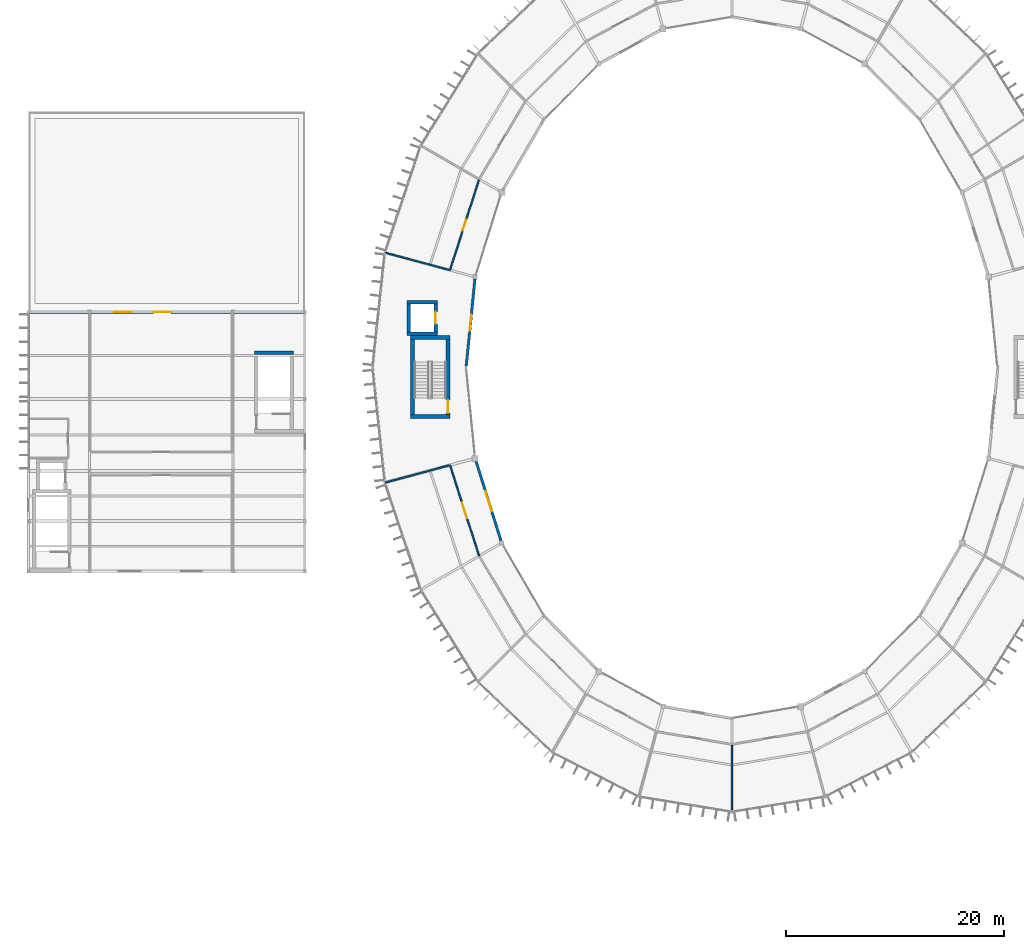
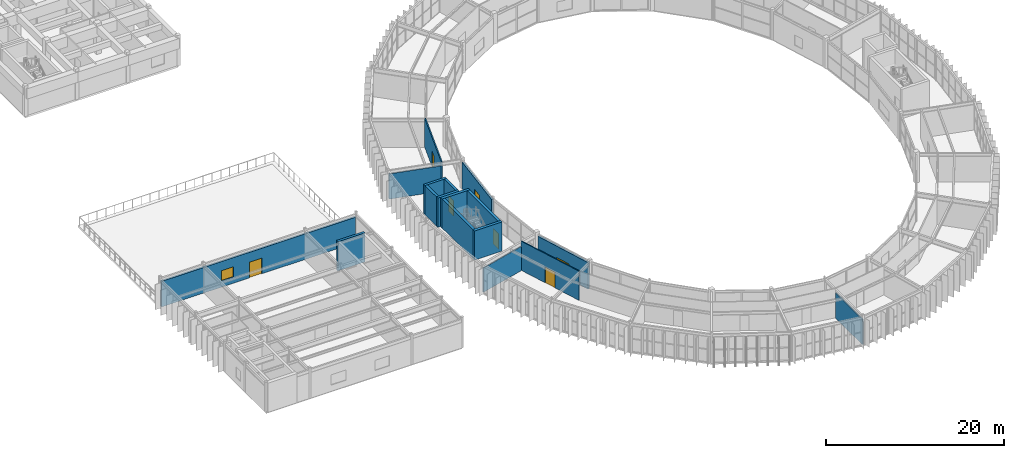
# One storey, part 111 of 130: 17 walls, 5 doors, 3 windows, 8 openings.
"""IFC4 building model written with IfcOpenShell, lengths in metres."""

from ifc_helpers import new_model, si_unit, direction, frame, frame_2d, origin, place, context, subcontext, project, spatial, rectangle, extrude, material, layer, layer_set, type_object, element, fill, save


model = new_model("IFC4")

# Units and contexts
model_context = context("Model", 3, precision=1e-05, world=origin(), true_north=direction((0.0, 1.0)))
body_context = subcontext(model_context, "Body", "Model", "MODEL_VIEW")
ifc_project = project(units=[si_unit("LENGTHUNIT", "METRE"), si_unit("AREAUNIT", "SQUARE_METRE"), si_unit("VOLUMEUNIT", "CUBIC_METRE"), si_unit("PLANEANGLEUNIT", "RADIAN"), si_unit("MASSUNIT", "GRAM", prefix="KILO")], contexts=[model_context])

# Site, building, storey
site_placement = place(None, origin())
site = spatial("IfcSite", under=ifc_project, at=site_placement, CompositionType="ELEMENT")
building_placement = place(site_placement, origin())
building = spatial("IfcBuilding", under=site, at=building_placement, Name="Karori Crest Natural Sciences Institute", CompositionType="ELEMENT")
storey_placement = place(building_placement, frame((0.0, 0.0, 17.5)))
storey = spatial("IfcBuildingStorey", under=building, at=storey_placement, Name="L04", CompositionType="ELEMENT", Elevation=17.5)

# Walls
ifc_material_1 = material(Name="Concrete 50 MPa", Category="concrete")
ifc_layer_1 = layer(ifc_material_1, 0.35009765625, Name="Concrete 50 MPa")
ifc_layer_set_1 = layer_set([ifc_layer_1], Name="Concrete 50 MPa")
wall_type_1 = type_object("IfcWallType", Name="IWT-02", PredefinedType="SHEAR", material=ifc_layer_set_1)
for number, where, z_axis, x_axis, name in (
    (1, (36.89990234375, 45.425048828125, 0.0), (0.0, 0.0, 1.0), (1.0, 0.0, 0.0), "Shear wall IW-0057"),
    (2, (36.89990234375, 52.675048828125, 0.0), (0.0, 0.0, 1.0), (1.0, 0.0, 0.0), "Shear wall IW-0058"),
):
    element("IfcWall", number, at=place(storey_placement, frame(where, z_axis=z_axis, x_axis=x_axis)), inside=storey, type_object=wall_type_1, Name=name, PredefinedType="SHEAR", context=body_context, shape_type="SweptSolid", body=[
        extrude(rectangle(XDim=3.60009765625, YDim=0.35009765625, at=frame_2d((1.800048828125, 0.0))), origin(), (0.0, 0.0, 1.0), 4.0),
    ])
wall_1_placement = place(storey_placement, frame((37.074951171875, 45.60205078125, 0.0), z_axis=(0.0, 0.0, 1.0), x_axis=(0.0, 1.0, 0.0)))
element("IfcWall", 3, at=wall_1_placement, inside=storey, type_object=wall_type_1, Name="Shear wall IW-0059", PredefinedType="SHEAR", context=body_context, shape_type="SweptSolid", body=[
    extrude(rectangle(XDim=6.89599609375, YDim=0.35009765625, at=frame_2d((3.447998046875, 0.0))), origin(), (0.0, 0.0, 1.0), 4.0),
])

# Wall, opening, door
wall_2_placement = place(storey_placement, frame((40.324951171875, 45.60205078125, 0.0), z_axis=(0.0, 0.0, 1.0), x_axis=(0.0, 1.0, 0.0)))
wall_2 = element("IfcWall", 4, at=wall_2_placement, inside=storey, type_object=wall_type_1, Name="Shear wall IW-0060", PredefinedType="SHEAR", context=body_context, shape_type="SweptSolid", body=[
    extrude(rectangle(XDim=6.89599609375, YDim=0.35009765625, at=frame_2d((3.447998046875, 0.0))), origin(), (0.0, 0.0, 1.0), 4.0),
])
opening_1_placement = place(wall_2_placement, frame((0.1201171875, 0.0, 0.0)))
opening_1 = element("IfcOpeningElement", 5, at=opening_1_placement, cuts=wall_2, Name="Opening ID-0015", PredefinedType="OPENING", context=body_context, shape_type="SweptSolid", body=[
    extrude(rectangle(XDim=1.199951171875, YDim=2.14990234375, at=frame_2d((0.60009765625, 1.074951171875))), frame((0.0, 0.18505859375, 0.0), z_axis=(0.0, -1.0, 0.0), x_axis=(1.0, 0.0, 0.0)), (0.0, 0.0, 1.0), 0.3701171875),
])
ifc_material_2 = material(Name="Stainless steel 316 and fire-rated timber", Category="steel")
door_type_1 = type_object("IfcDoorType", Name="IDT-01", OperationType="NOTDEFINED", PredefinedType="DOOR", material=ifc_material_2)
door_1_placement = place(opening_1_placement, origin())
door_1 = element("IfcDoor", 6, at=door_1_placement, inside=storey, type_object=door_type_1, Name="Stair ST-02 fire door ID-0015", OperationType="SINGLE_SWING_LEFT", OverallHeight=2.14990234375, OverallWidth=1.199951171875, PredefinedType="DOOR", context=body_context, shape_type="SweptSolid", body=[
    extrude(rectangle(XDim=1.199951171875, YDim=2.14990234375, at=frame_2d((0.60009765625, 1.074951171875))), frame((0.0, 0.02490234375, 0.0), z_axis=(0.0, -1.0, 0.0), x_axis=(1.0, 0.0, 0.0)), (0.0, 0.0, 1.0), 0.050048828125),
])
fill(opening_1, door_1)

# Walls
ifc_layer_2 = layer(ifc_material_1, 0.320068359375, Name="Concrete 50 MPa")
ifc_layer_set_2 = layer_set([ifc_layer_2], Name="Concrete 50 MPa")
wall_type_2 = type_object("IfcWallType", Name="IWT-03", PredefinedType="SHEAR", material=ifc_layer_set_2)
wall_3_placement = place(storey_placement, frame((22.580078125, 51.260009765625, 0.0), z_axis=(0.0, 0.0, 1.0), x_axis=(1.0, 0.0, 0.0)))
element("IfcWall", 7, at=wall_3_placement, inside=storey, type_object=wall_type_2, Name="Shear wall IW-0270", PredefinedType="SHEAR", context=body_context, shape_type="SweptSolid", body=[
    extrude(rectangle(XDim=3.5400390625, YDim=0.320068359375, at=frame_2d((1.77001953125, 0.0))), origin(), (0.0, 0.0, 1.0), 4.0),
])
for number, where, z_axis, x_axis, name in (
    (8, (36.544921875, 53.030029296875, 0.0), (0.0, 0.0, 1.0), (1.0, 0.0, 0.0), "Shear wall IW-0457"),
    (9, (36.544921875, 55.89501953125, 0.0), (0.0, 0.0, 1.0), (1.0, 0.0, 0.0), "Shear wall IW-0458"),
):
    element("IfcWall", number, at=place(storey_placement, frame(where, z_axis=z_axis, x_axis=x_axis)), inside=storey, type_object=wall_type_2, Name=name, PredefinedType="SHEAR", context=body_context, shape_type="SweptSolid", body=[
        extrude(rectangle(XDim=2.81005859375, YDim=0.320068359375, at=frame_2d((1.405029296875, 0.0))), origin(), (0.0, 0.0, 1.0), 4.0),
    ])
wall_4_placement = place(storey_placement, frame((36.705078125, 53.19189453125, 0.0), z_axis=(0.0, 0.0, 1.0), x_axis=(0.0, 1.0, 0.0)))
element("IfcWall", 10, at=wall_4_placement, inside=storey, type_object=wall_type_2, Name="Shear wall IW-0459", PredefinedType="SHEAR", context=body_context, shape_type="SweptSolid", body=[
    extrude(rectangle(XDim=2.541015625, YDim=0.320068359375, at=frame_2d((1.2705078125, 0.0))), origin(), (0.0, 0.0, 1.0), 4.0),
])

# Wall, opening, door
wall_5_placement = place(storey_placement, frame((39.195068359375, 53.19189453125, 0.0), z_axis=(0.0, 0.0, 1.0), x_axis=(0.0, 1.0, 0.0)))
wall_5 = element("IfcWall", 11, at=wall_5_placement, inside=storey, type_object=wall_type_2, Name="Shear wall IW-0460", PredefinedType="SHEAR", context=body_context, shape_type="SweptSolid", body=[
    extrude(rectangle(XDim=2.541015625, YDim=0.320068359375, at=frame_2d((1.2705078125, 0.0))), origin(), (0.0, 0.0, 1.0), 4.0),
])
opening_2_placement = place(wall_5_placement, frame((0.720458984375, 0.0, 0.0)))
opening_2 = element("IfcOpeningElement", 12, at=opening_2_placement, cuts=wall_5, Name="Opening LD-0039", PredefinedType="OPENING", context=body_context, shape_type="SweptSolid", body=[
    extrude(rectangle(XDim=1.10009765625, YDim=2.14990234375, at=frame_2d((0.550048828125, 1.074951171875))), frame((0.0, 0.169921875, 0.0), z_axis=(0.0, -1.0, 0.0), x_axis=(1.0, 0.0, 0.0)), (0.0, 0.0, 1.0), 0.340087890625),
])
door_type_2 = type_object("IfcDoorType", Name="LDT-01", OperationType="SLIDING_TO_LEFT", PredefinedType="DOOR", material=ifc_material_2)
door_2_placement = place(opening_2_placement, origin())
door_2 = element("IfcDoor", 13, at=door_2_placement, inside=storey, type_object=door_type_2, Name="Lift LP-02 landing door LD-0039", OperationType="SLIDING_TO_LEFT", OverallHeight=2.14990234375, OverallWidth=1.10009765625, PredefinedType="DOOR", context=body_context, shape_type="SweptSolid", body=[
    extrude(rectangle(XDim=1.10009765625, YDim=2.14990234375, at=frame_2d((0.550048828125, 1.074951171875))), frame((0.0, 0.02490234375, 0.0), z_axis=(0.0, -1.0, 0.0), x_axis=(1.0, 0.0, 0.0)), (0.0, 0.0, 1.0), 0.050048828125),
])
fill(opening_2, door_2)

ifc_material_3 = material(Name="Laboratory acoustic drywall partition")
ifc_layer_3 = layer(ifc_material_3, 0.139892578125, Name="Laboratory acoustic drywall partition")
ifc_layer_set_3 = layer_set([ifc_layer_3], Name="Laboratory acoustic drywall partition")
wall_type_3 = type_object("IfcWallType", Name="IWT-07", PredefinedType="PARTITIONING", material=ifc_layer_set_3)
wall_6_placement = place(storey_placement, frame((43.16796875, 67.1298828125, 0.0), z_axis=(0.0, 0.0, 1.0), x_axis=(-0.305487150125, -0.952196198852, 0.0)))
wall_6 = element("IfcWall", 14, at=wall_6_placement, inside=storey, type_object=wall_type_3, Name="Partition wall IW-1346", PredefinedType="PARTITIONING", context=body_context, shape_type="SweptSolid", body=[
    extrude(rectangle(XDim=8.6904296875, YDim=0.139892578125, at=frame_2d((4.34521484375, 0.0))), origin(), (0.0, 0.0, 1.0), 4.0),
])
opening_3_placement = place(wall_6_placement, frame((3.820068359375, 0.0, 0.0)))
opening_3 = element("IfcOpeningElement", 15, at=opening_3_placement, cuts=wall_6, Name="Opening ID-0423", PredefinedType="OPENING", context=body_context, shape_type="SweptSolid", body=[
    extrude(rectangle(XDim=1.050048828125, YDim=2.14990234375, at=frame_2d((0.52490234375, 1.074951171875))), frame((0.0, 0.080078125, 0.0), z_axis=(0.0, -1.0, 0.0), x_axis=(1.0, 0.0, 0.0)), (0.0, 0.0, 1.0), 0.159912109375),
])
door_type_3 = type_object("IfcDoorType", Name="IDT-03", OperationType="NOTDEFINED", PredefinedType="DOOR", material=ifc_material_2)
door_3_placement = place(opening_3_placement, origin())
door_3 = element("IfcDoor", 16, at=door_3_placement, inside=storey, type_object=door_type_3, Name="Molecular Ecology Wet Laboratory door ID-0423", OperationType="SINGLE_SWING_LEFT", OverallHeight=2.14990234375, OverallWidth=1.050048828125, PredefinedType="DOOR", context=body_context, shape_type="SweptSolid", body=[
    extrude(rectangle(XDim=1.050048828125, YDim=2.14990234375, at=frame_2d((0.52490234375, 1.074951171875))), frame((0.0, 0.02490234375, 0.0), z_axis=(0.0, -1.0, 0.0), x_axis=(1.0, 0.0, 0.0)), (0.0, 0.0, 1.0), 0.050048828125),
])
fill(opening_3, door_3)

# Wall
wall_7_placement = place(storey_placement, frame((40.435791015625, 58.875732421875, 0.0), z_axis=(0.0, 0.0, 1.0), x_axis=(-0.965916578341, 0.258853556448, 0.0)))
element("IfcWall", 17, at=wall_7_placement, inside=storey, type_object=wall_type_3, Name="Partition wall IW-1347", PredefinedType="PARTITIONING", context=body_context, shape_type="SweptSolid", body=[
    extrude(rectangle(XDim=6.059814453125, YDim=0.139892578125, at=frame_2d((3.02978515625, 0.0))), origin(), (0.0, 0.0, 1.0), 3.465087890625),
])

# Wall, opening, door
wall_8_placement = place(storey_placement, frame((40.51318359375, 40.94482421875, 0.0), z_axis=(0.0, 0.0, 1.0), x_axis=(0.305493323507, -0.952194218263, 0.0)))
wall_8 = element("IfcWall", 18, at=wall_8_placement, inside=storey, type_object=wall_type_3, Name="Partition wall IW-1348", PredefinedType="PARTITIONING", context=body_context, shape_type="SweptSolid", body=[
    extrude(rectangle(XDim=8.763671875, YDim=0.139892578125, at=frame_2d((4.3818359375, 0.0))), origin(), (0.0, 0.0, 1.0), 4.0),
])
opening_4_placement = place(wall_8_placement, frame((3.6318359375, 0.0, 0.0)))
opening_4 = element("IfcOpeningElement", 19, at=opening_4_placement, cuts=wall_8, Name="Opening ID-0424", PredefinedType="OPENING", context=body_context, shape_type="SweptSolid", body=[
    extrude(rectangle(XDim=1.5, YDim=2.14990234375, at=frame_2d((0.75, 1.074951171875))), frame((0.0, 0.080078125, 0.0), z_axis=(0.0, -1.0, 0.0), x_axis=(1.0, 0.0, 0.0)), (0.0, 0.0, 1.0), 0.159912109375),
])
door_type_4 = type_object("IfcDoorType", Name="IDT-05", OperationType="DOUBLE_DOOR_SINGLE_SWING", PredefinedType="DOOR", material=ifc_material_2)
door_4_placement = place(opening_4_placement, origin())
door_4 = element("IfcDoor", 20, at=door_4_placement, inside=storey, type_object=door_type_4, Name="Atmospheric Physics Laboratory door ID-0424", OperationType="DOUBLE_DOOR_SINGLE_SWING", OverallHeight=2.14990234375, OverallWidth=1.5, PredefinedType="DOOR", context=body_context, shape_type="SweptSolid", body=[
    extrude(rectangle(XDim=1.5, YDim=2.14990234375, at=frame_2d((0.75, 1.074951171875))), frame((0.0, 0.02490234375, 0.0), z_axis=(0.0, -1.0, 0.0), x_axis=(1.0, 0.0, 0.0)), (0.0, 0.0, 1.0), 0.050048828125),
])
fill(opening_4, door_4)

# Walls
wall_9_placement = place(storey_placement, frame((40.435791015625, 40.92431640625, 0.0), z_axis=(0.0, 0.0, 1.0), x_axis=(-0.965916578341, -0.258853556448, 0.0)))
element("IfcWall", 21, at=wall_9_placement, inside=storey, type_object=wall_type_3, Name="Partition wall IW-1350", PredefinedType="PARTITIONING", context=body_context, shape_type="SweptSolid", body=[
    extrude(rectangle(XDim=6.059814453125, YDim=0.139892578125, at=frame_2d((3.02978515625, 0.0))), origin(), (0.0, 0.0, 1.0), 3.322998046875),
])
wall_10_placement = place(storey_placement, frame((66.39990234375, 15.219970703125, 0.0), z_axis=(0.0, 0.0, 1.0), x_axis=(0.0, -1.0, 0.0)))
element("IfcWall", 22, at=wall_10_placement, inside=storey, type_object=wall_type_3, Name="Partition wall IW-1357", PredefinedType="PARTITIONING", context=body_context, shape_type="SweptSolid", body=[
    extrude(rectangle(XDim=6.06005859375, YDim=0.139892578125, at=frame_2d((3.030029296875, 0.0))), origin(), (0.0, 0.0, 1.0), 3.470947265625),
])

# Wall, opening, window
ifc_material_4 = material(Name="Precast concrete 40 MPa", Category="concrete")
ifc_layer_4 = layer(ifc_material_4, 0.239990234375, Name="Precast concrete 40 MPa")
ifc_layer_set_4 = layer_set([ifc_layer_4], Name="Precast concrete 40 MPa")
wall_type_4 = type_object("IfcWallType", Name="WT-04", PredefinedType="SOLIDWALL", material=ifc_layer_set_4)
wall_11_placement = place(storey_placement, frame((42.8115234375, 58.035888671875, 0.0), z_axis=(0.0, 0.0, 1.0), x_axis=(-0.099255190182, -0.995062011747, 0.0)))
wall_11 = element("IfcWall", 23, at=wall_11_placement, inside=storey, type_object=wall_type_4, Name="Exterior wall EW-0081", PredefinedType="SOLIDWALL", context=body_context, shape_type="SweptSolid", body=[
    extrude(rectangle(XDim=8.07275390625, YDim=0.239990234375, at=frame_2d((4.036376953125, 0.0))), origin(), (0.0, 0.0, 1.0), 3.64990234375),
])
opening_5_placement = place(wall_11_placement, frame((3.311279296875, 0.0, 0.85009765625)))
opening_5 = element("IfcOpeningElement", 24, at=opening_5_placement, cuts=wall_11, Name="Opening WN-0033", PredefinedType="OPENING", context=body_context, shape_type="SweptSolid", body=[
    extrude(rectangle(XDim=1.449951171875, YDim=1.25, at=frame_2d((0.72509765625, 0.625))), frame((0.0, 0.1298828125, 0.0), z_axis=(0.0, -1.0, 0.0), x_axis=(1.0, 0.0, 0.0)), (0.0, 0.0, 1.0), 0.260009765625),
])
ifc_material_5 = material(Name="Double low-E laminated glass", Category="glass")
window_type_1 = type_object("IfcWindowType", Name="WNT-12", PartitioningType="SINGLE_PANEL", PredefinedType="WINDOW", material=ifc_material_5)
window_1_placement = place(opening_5_placement, origin())
window_1 = element("IfcWindow", 25, at=window_1_placement, inside=storey, type_object=window_type_1, Name="Window WN-0033", OverallHeight=1.25, OverallWidth=1.449951171875, PartitioningType="SINGLE_PANEL", PredefinedType="WINDOW", context=body_context, shape_type="SweptSolid", body=[
    extrude(rectangle(XDim=1.449951171875, YDim=1.25, at=frame_2d((0.72509765625, 0.625))), frame((0.0, 0.030029296875, 0.0), z_axis=(0.0, -1.0, 0.0), x_axis=(1.0, 0.0, 0.0)), (0.0, 0.0, 1.0), 0.06005859375),
])
fill(opening_5, window_1)

wall_12_placement = place(storey_placement, frame((42.9169921875, 41.29296875, 0.0), z_axis=(0.0, 0.0, 1.0), x_axis=(0.299482000987, -0.954101950048, 0.0)))
wall_12 = element("IfcWall", 26, at=wall_12_placement, inside=storey, type_object=wall_type_4, Name="Exterior wall EW-0082", PredefinedType="SOLIDWALL", context=body_context, shape_type="SweptSolid", body=[
    extrude(rectangle(XDim=7.645751953125, YDim=0.239990234375, at=frame_2d((3.82275390625, 0.0))), origin(), (0.0, 0.0, 1.0), 3.64990234375),
])
opening_6_placement = place(wall_12_placement, frame((2.872802734375, 0.0, 0.85009765625)))
opening_6 = element("IfcOpeningElement", 27, at=opening_6_placement, cuts=wall_12, Name="Opening WN-0034", PredefinedType="OPENING", context=body_context, shape_type="SweptSolid", body=[
    extrude(rectangle(XDim=1.89990234375, YDim=1.25, at=frame_2d((0.949951171875, 0.625))), frame((0.0, 0.1298828125, 0.0), z_axis=(0.0, -1.0, 0.0), x_axis=(1.0, 0.0, 0.0)), (0.0, 0.0, 1.0), 0.260009765625),
])
window_type_2 = type_object("IfcWindowType", Name="WNT-14", PartitioningType="SINGLE_PANEL", PredefinedType="WINDOW", material=ifc_material_5)
window_2_placement = place(opening_6_placement, origin())
window_2 = element("IfcWindow", 28, at=window_2_placement, inside=storey, type_object=window_type_2, Name="Window WN-0034", OverallHeight=1.25, OverallWidth=1.89990234375, PartitioningType="SINGLE_PANEL", PredefinedType="WINDOW", context=body_context, shape_type="SweptSolid", body=[
    extrude(rectangle(XDim=1.89990234375, YDim=1.25, at=frame_2d((0.949951171875, 0.625))), frame((0.0, 0.030029296875, 0.0), z_axis=(0.0, -1.0, 0.0), x_axis=(1.0, 0.0, 0.0)), (0.0, 0.0, 1.0), 0.06005859375),
])
fill(opening_6, window_2)

# Wall, openings, door, window
wall_13_placement = place(storey_placement, frame((1.923095703125, 55.0, 0.0), z_axis=(0.0, 0.0, 1.0), x_axis=(1.0, 0.0, 0.0)))
wall_13 = element("IfcWall", 29, at=wall_13_placement, inside=storey, type_object=wall_type_4, Name="Exterior wall EW-0150", PredefinedType="SOLIDWALL", context=body_context, shape_type="SweptSolid", body=[
    extrude(rectangle(XDim=25.15380859375, YDim=0.239990234375, at=frame_2d((12.576904296875, 0.0))), origin(), (0.0, 0.0, 1.0), 3.5048828125),
])
opening_7_placement = place(wall_13_placement, frame((11.376953125, 0.0, 0.0)))
opening_7 = element("IfcOpeningElement", 30, at=opening_7_placement, cuts=wall_13, Name="Opening ED-0019", PredefinedType="OPENING", context=body_context, shape_type="SweptSolid", body=[
    extrude(rectangle(XDim=1.60009765625, YDim=2.14990234375, at=frame_2d((0.800048828125, 1.074951171875))), frame((0.0, 0.1298828125, 0.0), z_axis=(0.0, -1.0, 0.0), x_axis=(1.0, 0.0, 0.0)), (0.0, 0.0, 1.0), 0.260009765625),
])
opening_8_placement = place(wall_13_placement, frame((7.777099609375, 0.0, 0.85009765625)))
opening_8 = element("IfcOpeningElement", 31, at=opening_8_placement, cuts=wall_13, Name="Opening WN-0093", PredefinedType="OPENING", context=body_context, shape_type="SweptSolid", body=[
    extrude(rectangle(XDim=1.550048828125, YDim=1.39990234375, at=frame_2d((0.77490234375, 0.699951171875))), frame((0.0, 0.1298828125, 0.0), z_axis=(0.0, -1.0, 0.0), x_axis=(1.0, 0.0, 0.0)), (0.0, 0.0, 1.0), 0.260009765625),
])
ifc_material_6 = material(Name="Anodised architectural aluminium 6063-T6", Category="aluminium")
door_type_5 = type_object("IfcDoorType", Name="EDT-05", OperationType="DOUBLE_DOOR_SINGLE_SWING", PredefinedType="DOOR", material=ifc_material_6)
door_5_placement = place(opening_7_placement, origin())
door_5 = element("IfcDoor", 32, at=door_5_placement, inside=storey, type_object=door_type_5, Name="L04 roof garden terrace door ED-0019", OperationType="DOUBLE_DOOR_SINGLE_SWING", OverallHeight=2.14990234375, OverallWidth=1.60009765625, PredefinedType="DOOR", context=body_context, shape_type="SweptSolid", body=[
    extrude(rectangle(XDim=1.60009765625, YDim=2.14990234375, at=frame_2d((0.800048828125, 1.074951171875))), frame((0.0, 0.02490234375, 0.0), z_axis=(0.0, -1.0, 0.0), x_axis=(1.0, 0.0, 0.0)), (0.0, 0.0, 1.0), 0.050048828125),
])
fill(opening_7, door_5)
window_type_3 = type_object("IfcWindowType", Name="WNT-04", PartitioningType="SINGLE_PANEL", PredefinedType="WINDOW", material=ifc_material_5)
window_3_placement = place(opening_8_placement, origin())
window_3 = element("IfcWindow", 33, at=window_3_placement, inside=storey, type_object=window_type_3, Name="Window WN-0093", OverallHeight=1.39990234375, OverallWidth=1.550048828125, PartitioningType="SINGLE_PANEL", PredefinedType="WINDOW", context=body_context, shape_type="SweptSolid", body=[
    extrude(rectangle(XDim=1.550048828125, YDim=1.39990234375, at=frame_2d((0.77490234375, 0.699951171875))), frame((0.0, 0.030029296875, 0.0), z_axis=(0.0, -1.0, 0.0), x_axis=(1.0, 0.0, 0.0)), (0.0, 0.0, 1.0), 0.06005859375),
])
fill(opening_8, window_3)

save(model, "model.ifc")
